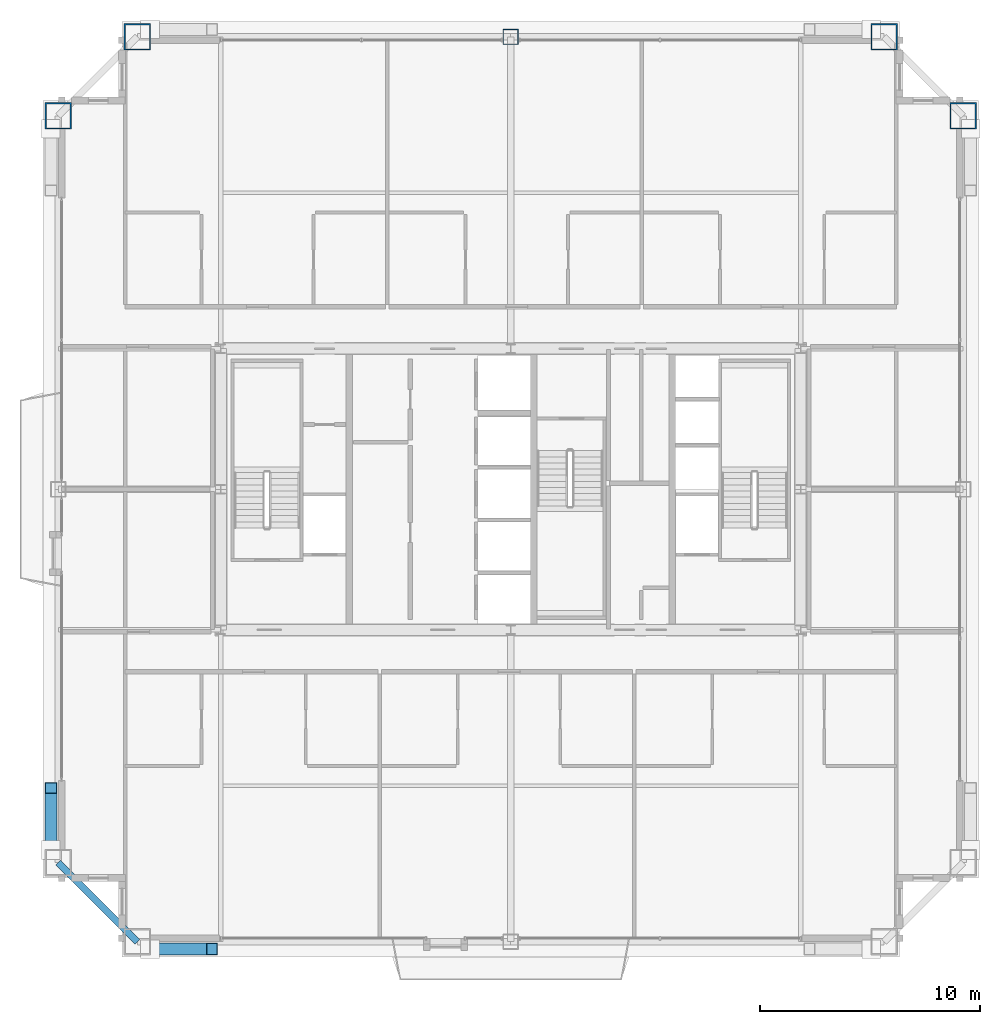
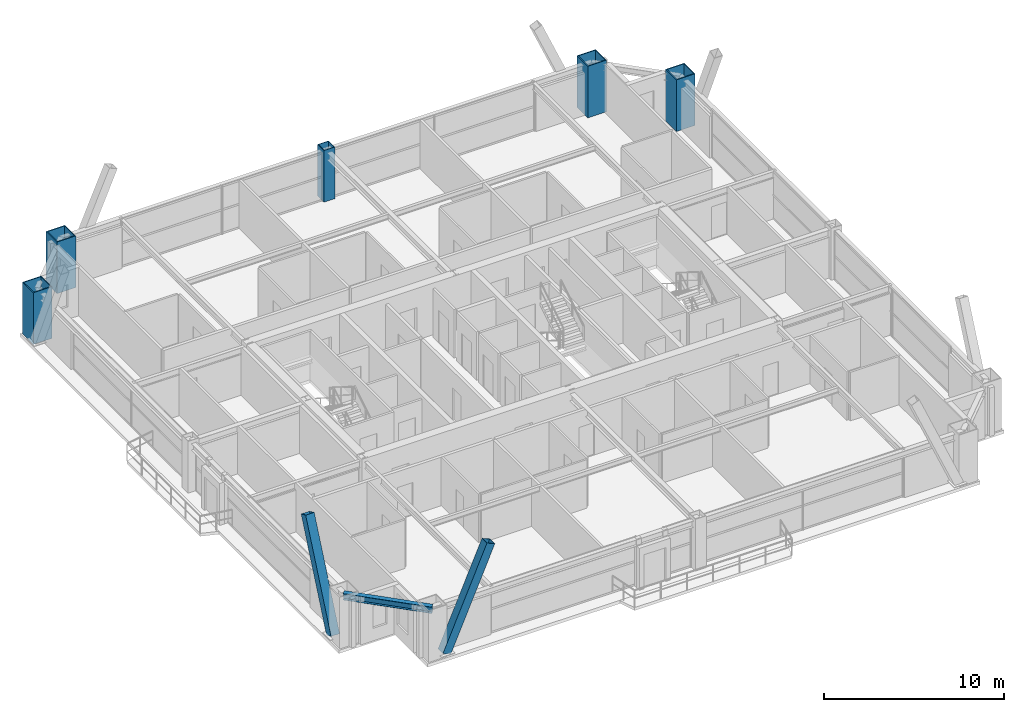
# One storey, part 2 of 33: 5 columns, 2 members, 1 beam.
"""IFC4 building model written with IfcOpenShell, lengths in metres."""

from ifc_helpers import new_model, si_unit, direction, frame, origin, origin_2d, place, context, subcontext, project, spatial, hollow_rectangle, i_section, extrude, source, transform, mapped, material, material_profile, profile_set, type_object, element, save


model = new_model("IFC4")

# Units and contexts
model_context = context("Model", 3, precision=1e-05, world=origin(), true_north=direction((0.0, 1.0)))
body_context = subcontext(model_context, "Body", "Model", "MODEL_VIEW")
ifc_project = project(units=[si_unit("LENGTHUNIT", "METRE"), si_unit("AREAUNIT", "SQUARE_METRE"), si_unit("VOLUMEUNIT", "CUBIC_METRE"), si_unit("PLANEANGLEUNIT", "RADIAN"), si_unit("MASSUNIT", "GRAM", prefix="KILO"), si_unit("THERMODYNAMICTEMPERATUREUNIT", "KELVIN"), si_unit("POWERUNIT", "WATT")], contexts=[model_context])

# Site, building, storey
site_placement = place(None, origin())
site = spatial("IfcSite", under=ifc_project, at=site_placement, CompositionType="ELEMENT")
building_placement = place(site_placement, origin())
building = spatial("IfcBuilding", under=site, at=building_placement, Name="Yuzanri Waterfront Tower", CompositionType="ELEMENT")
storey_placement = place(building_placement, frame((0.0, 0.0, 234.60009765625)))
storey = spatial("IfcBuildingStorey", under=building, at=storey_placement, Name="L62", CompositionType="ELEMENT", Elevation=234.60009765625)

# Columns
ifc_material_1 = material(Name="Steel Q390GJC", Category="steel")
ifc_material_profile_1 = material_profile(ifc_material_1, hollow_rectangle(XDim=1.199951171875, YDim=1.199951171875, WallThickness=0.054931640625, at=origin_2d()), Name="RHS 1200x1200x55")
ifc_profile_set_1 = profile_set([ifc_material_profile_1], Name="Steel Q390GJC")
column_type_1 = type_object("IfcColumnType", Name="Mega Column Q390GJC RHS 1200x1200x55", PredefinedType="COLUMN", material=ifc_profile_set_1)
shared_shape_1 = source(origin(), body_context, "Body", "SweptSolid", [
    extrude(hollow_rectangle(XDim=1.199951171875, YDim=1.199951171875, WallThickness=0.054931640625, at=origin_2d()), origin(), (0.0, 0.0, 1.0), 3.5),
])
for number, where, z_axis, x_axis, name in (
    (1, (20.0, 46.39990234375, 0.0), (0.0, 0.0, 1.0), (1.0, 0.0, 0.0), "L62 Perimeter Mega Column N1"),
    (2, (54.0, 46.39990234375, 0.0), (0.0, 0.0, 1.0), (1.0, 0.0, 0.0), "L62 Perimeter Mega Column N3"),
    (3, (16.39990234375, 42.800048828125, 0.0), (0.0, 0.0, 1.0), (1.0, 0.0, 0.0), "L62 Perimeter Mega Column W3"),
    (4, (57.60009765625, 42.800048828125, 0.0), (0.0, 0.0, 1.0), (1.0, 0.0, 0.0), "L62 Perimeter Mega Column E3"),
):
    element("IfcColumn", number, at=place(storey_placement, frame(where, z_axis=z_axis, x_axis=x_axis)), inside=storey, type_object=column_type_1, Name=name, PredefinedType="COLUMN", context=body_context, shape_type="MappedRepresentation", body=[
        mapped(shared_shape_1, transform((0.0, 0.0, 0.0), scale=1.0)),
    ])
ifc_material_2 = material(Name="Steel Q355B", Category="steel")
ifc_material_profile_2 = material_profile(ifc_material_2, hollow_rectangle(XDim=0.699951171875, YDim=0.699951171875, WallThickness=0.031982421875, at=origin_2d()), Name="RHS 700x700x32")
ifc_profile_set_2 = profile_set([ifc_material_profile_2], Name="Steel Q355B")
column_type_2 = type_object("IfcColumnType", Name="Frame Column Q355B RHS 700x700x32", PredefinedType="COLUMN", material=ifc_profile_set_2)
shared_shape_2 = source(origin(), body_context, "Body", "SweptSolid", [
    extrude(hollow_rectangle(XDim=0.699951171875, YDim=0.699951171875, WallThickness=0.031982421875, at=origin_2d()), origin(), (0.0, 0.0, 1.0), 3.5),
])
column_placement = place(storey_placement, frame((37.0, 46.39990234375, 0.0), z_axis=(0.0, 0.0, 1.0), x_axis=(1.0, 0.0, 0.0)))
element("IfcColumn", 5, at=column_placement, inside=storey, type_object=column_type_2, Name="L62 Perimeter Frame Column N2", PredefinedType="COLUMN", context=body_context, shape_type="MappedRepresentation", body=[
    mapped(shared_shape_2, transform((0.0, 0.0, 0.0), scale=1.0)),
])

# Beam
ifc_material_3 = material(Name="Steel Q355B", Category="steel")
ifc_material_profile_3 = material_profile(ifc_material_3, i_section(OverallWidth=0.300048828125, OverallDepth=0.43994140625, WebThickness=0.010986328125, FlangeThickness=0.01806640625, at=origin_2d()), Name="HM 440x300x11x18")
ifc_profile_set_3 = profile_set([ifc_material_profile_3], Name="Steel Q355B")
beam_type = type_object("IfcBeamType", Name="Perimeter Spandrel Q355B HM 440x300", PredefinedType="SPANDREL", material=ifc_profile_set_3)
shared_shape_3 = source(origin(), body_context, "Body", "SweptSolid", [
    extrude(i_section(OverallWidth=0.300048828125, OverallDepth=0.43994140625, WebThickness=0.010986328125, FlangeThickness=0.01806640625, at=origin_2d()), origin(), (0.0, 0.0, 1.0), 5.09130859375),
])
beam_placement = place(storey_placement, frame((16.39990234375, 8.800048828125, 3.059814453125), z_axis=(0.707106781187, -0.707106781187, 0.0), x_axis=(0.707106781187, 0.707106781187, 0.0)))
element("IfcBeam", 6, at=beam_placement, inside=storey, type_object=beam_type, Name="L62 Perimeter Spandrel W1-S1", PredefinedType="SPANDREL", context=body_context, shape_type="MappedRepresentation", body=[
    mapped(shared_shape_3, transform((0.0, 0.0, 0.0), scale=1.0)),
])

# Members
ifc_material_4 = material(Name="Steel Q390GJC", Category="steel")
ifc_material_profile_4 = material_profile(ifc_material_4, hollow_rectangle(XDim=0.550048828125, YDim=0.550048828125, WallThickness=0.02490234375, at=origin_2d()), Name="RHS 550x550x25")
ifc_profile_set_4 = profile_set([ifc_material_profile_4], Name="Steel Q390GJC")
member_type = type_object("IfcMemberType", Name="Mega Brace Mid Q390GJC RHS 550x550x25", PredefinedType="BRACE", material=ifc_profile_set_4)
shared_shape_4 = source(origin(), body_context, "Body", "SweptSolid", [
    extrude(hollow_rectangle(XDim=0.550048828125, YDim=0.550048828125, WallThickness=0.02490234375, at=origin_2d()), origin(), (0.0, 0.0, 1.0), 7.085205078125),
])
member_1_placement = place(storey_placement, frame((20.580078125, 4.860107421875, 0.179931640625), z_axis=(0.397982599681, 0.0, 0.917392963975), x_axis=(0.0, 1.0, 0.0)))
element("IfcMember", 7, at=member_1_placement, inside=storey, type_object=member_type, Name="L62-L63 Perimeter Mega-Brace S-L", PredefinedType="BRACE", context=body_context, shape_type="MappedRepresentation", body=[
    mapped(shared_shape_4, transform((0.0, 0.0, 0.0), scale=1.0)),
])
shared_shape_5 = source(origin(), body_context, "Body", "SweptSolid", [
    extrude(hollow_rectangle(XDim=0.550048828125, YDim=0.550048828125, WallThickness=0.02490234375, at=origin_2d()), origin(), (0.0, 0.0, 1.0), 7.08544921875),
])
member_2_placement = place(storey_placement, frame((16.06005859375, 9.3798828125, 0.179931640625), z_axis=(0.0, 0.398011598745, 0.917380383082), x_axis=(-1.0, 0.0, 0.0)))
element("IfcMember", 8, at=member_2_placement, inside=storey, type_object=member_type, Name="L62-L63 Perimeter Mega-Brace W-L", PredefinedType="BRACE", context=body_context, shape_type="MappedRepresentation", body=[
    mapped(shared_shape_5, transform((0.0, 0.0, 0.0), scale=1.0)),
])

save(model, "model.ifc")
